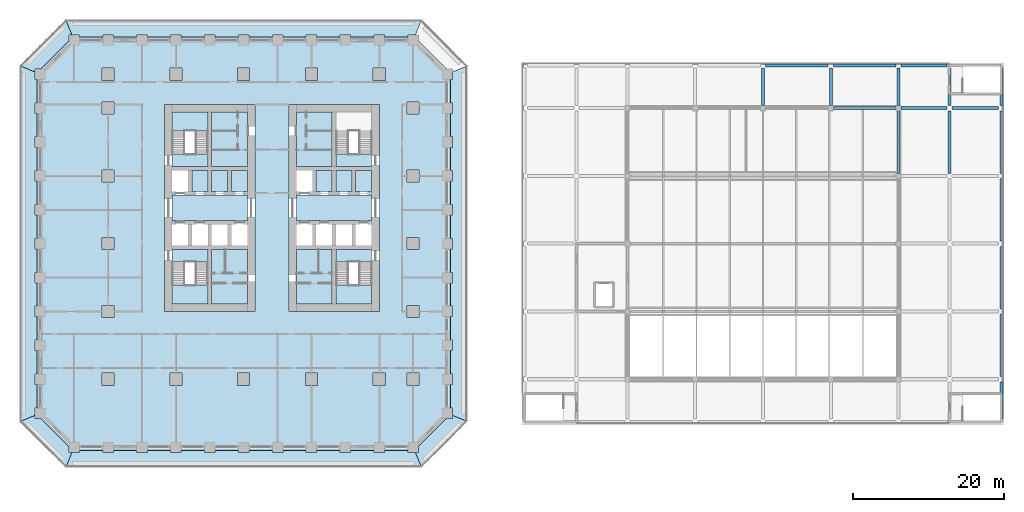
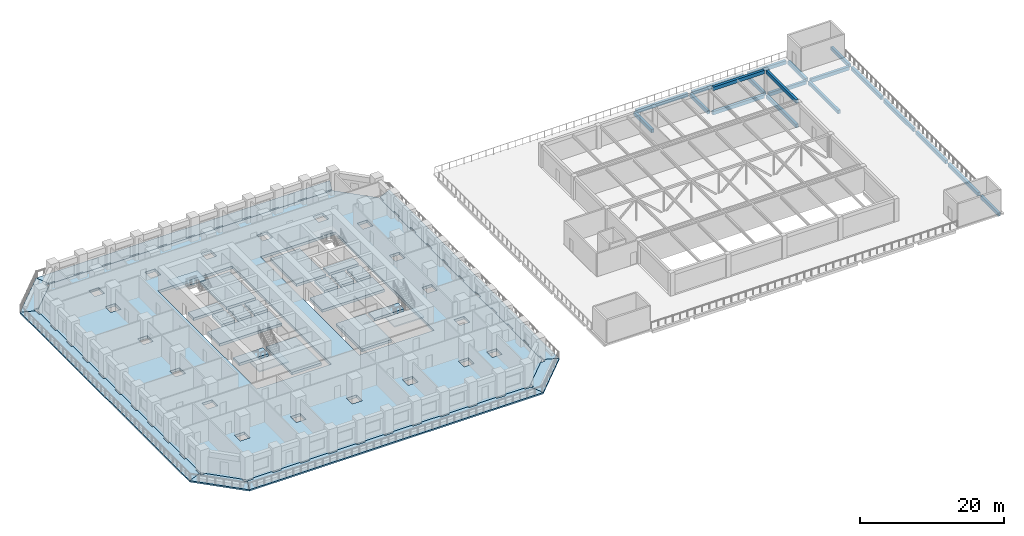
# One storey, part 16 of 30: 27 slabs, 20 beams, 3 elements without a shape of their own.
"""IFC4 building model written with IfcOpenShell, lengths in metres."""

from ifc_helpers import new_model, si_unit, direction, frame, origin, origin_2d, place, context, subcontext, project, spatial, polyline, rectangle, outline, extrude, material, layer, layer_set, material_profile, profile_set, type_object, element, aggregate, save


model = new_model("IFC4")

# Units and contexts
model_context = context("Model", 3, precision=1e-05, world=origin(), true_north=direction((0.0, 1.0)))
body_context = subcontext(model_context, "Body", "Model", "MODEL_VIEW")
ifc_project = project(units=[si_unit("LENGTHUNIT", "METRE"), si_unit("AREAUNIT", "SQUARE_METRE"), si_unit("VOLUMEUNIT", "CUBIC_METRE"), si_unit("PLANEANGLEUNIT", "RADIAN"), si_unit("MASSUNIT", "GRAM", prefix="KILO")], contexts=[model_context])

# Site, building, storey
site_placement = place(None, origin())
site = spatial("IfcSite", under=ifc_project, at=site_placement, CompositionType="ELEMENT")
building_placement = place(site_placement, origin())
building = spatial("IfcBuilding", under=site, at=building_placement, Name="Corbel Stack Research Tower", CompositionType="ELEMENT")
storey_placement = place(building_placement, frame((0.0, 0.0, 19.5)))
storey = spatial("IfcBuildingStorey", under=building, at=storey_placement, Name="L04", CompositionType="ELEMENT", Elevation=19.5)

# Beams
ifc_material_1 = material(Name="Concrete C40/50", Category="concrete")
ifc_material_profile = material_profile(ifc_material_1, rectangle(XDim=0.39990234375, YDim=0.60009765625, at=origin_2d()), Name="RC 400 x 600")
ifc_profile_set = profile_set([ifc_material_profile], Name="Concrete C40/50")
beam_type = type_object("IfcBeamType", Name="HB1 RC beam 400 x 600", PredefinedType="BEAM", material=ifc_profile_set)
beam_1_placement = place(storey_placement, frame((68.949951171875, 18.35009765625, -0.550048828125), z_axis=(0.0, 1.0, 0.0), x_axis=(-1.0, 0.0, 0.0)))
element("IfcBeam", 1, at=beam_1_placement, inside=storey, type_object=beam_type, Name="Floor beam L04 H5HF-H5HG", PredefinedType="BEAM", context=body_context, shape_type="SweptSolid", body=[
    extrude(rectangle(XDim=0.39990234375, YDim=0.60009765625, at=origin_2d()), origin(), (0.0, 0.0, 1.0), 4.949951171875),
])
for number, where, z_axis, x_axis, name in (
    (2, (69.300048828125, 23.64990234375, -0.550048828125), (1.0, 0.0, 0.0), (0.0, 1.0, 0.0), "Floor beam L04 H5HG-H6HG"),
    (3, (78.300048828125, 18.0, -0.550048828125), (1.0, 0.0, 0.0), (0.0, 1.0, 0.0), "Floor beam L04 H6HF-H7HF"),
):
    element("IfcBeam", number, at=place(storey_placement, frame(where, z_axis=z_axis, x_axis=x_axis)), inside=storey, type_object=beam_type, Name=name, PredefinedType="BEAM", context=body_context, shape_type="SweptSolid", body=[
        extrude(rectangle(XDim=0.39990234375, YDim=0.60009765625, at=origin_2d()), origin(), (0.0, 0.0, 1.0), 8.300048828125),
    ])
beam_2_placement = place(storey_placement, frame((77.949951171875, 18.35009765625, -0.550048828125), z_axis=(0.0, 1.0, 0.0), x_axis=(-1.0, 0.0, 0.0)))
element("IfcBeam", 4, at=beam_2_placement, inside=storey, type_object=beam_type, Name="Floor beam L04 H6HF-H6HG", PredefinedType="BEAM", context=body_context, shape_type="SweptSolid", body=[
    extrude(rectangle(XDim=0.39990234375, YDim=0.60009765625, at=origin_2d()), origin(), (0.0, 0.0, 1.0), 4.949951171875),
])
beam_3_placement = place(storey_placement, frame((78.300048828125, 23.64990234375, -0.550048828125), z_axis=(1.0, 0.0, 0.0), x_axis=(0.0, 1.0, 0.0)))
element("IfcBeam", 5, at=beam_3_placement, inside=storey, type_object=beam_type, Name="Floor beam L04 H6HG-H7HG", PredefinedType="BEAM", context=body_context, shape_type="SweptSolid", body=[
    extrude(rectangle(XDim=0.39990234375, YDim=0.60009765625, at=origin_2d()), origin(), (0.0, 0.0, 1.0), 8.300048828125),
])
beam_4_placement = place(storey_placement, frame((86.949951171875, 9.35009765625, -0.550048828125), z_axis=(0.0, 1.0, 0.0), x_axis=(-1.0, 0.0, 0.0)))
element("IfcBeam", 6, at=beam_4_placement, inside=storey, type_object=beam_type, Name="Floor beam L04 H7HE-H7HF", PredefinedType="BEAM", context=body_context, shape_type="SweptSolid", body=[
    extrude(rectangle(XDim=0.39990234375, YDim=0.60009765625, at=origin_2d()), origin(), (0.0, 0.0, 1.0), 8.2998046875),
])
beam_5_placement = place(storey_placement, frame((87.300048828125, 18.0, -0.550048828125), z_axis=(1.0, 0.0, 0.0), x_axis=(0.0, 1.0, 0.0)))
element("IfcBeam", 7, at=beam_5_placement, inside=storey, type_object=beam_type, Name="Floor beam L04 H7HF-H8HF", PredefinedType="BEAM", context=body_context, shape_type="SweptSolid", body=[
    extrude(rectangle(XDim=0.39990234375, YDim=0.60009765625, at=origin_2d()), origin(), (0.0, 0.0, 1.0), 6.050048828125),
])
beam_6_placement = place(storey_placement, frame((86.949951171875, 18.35009765625, -0.550048828125), z_axis=(0.0, 1.0, 0.0), x_axis=(-1.0, 0.0, 0.0)))
element("IfcBeam", 8, at=beam_6_placement, inside=storey, type_object=beam_type, Name="Floor beam L04 H7HF-H7HG", PredefinedType="BEAM", context=body_context, shape_type="SweptSolid", body=[
    extrude(rectangle(XDim=0.39990234375, YDim=0.60009765625, at=origin_2d()), origin(), (0.0, 0.0, 1.0), 4.949951171875),
])
beam_7_placement = place(storey_placement, frame((87.300048828125, 23.64990234375, -0.550048828125), z_axis=(1.0, 0.0, 0.0), x_axis=(0.0, 1.0, 0.0)))
element("IfcBeam", 9, at=beam_7_placement, inside=storey, type_object=beam_type, Name="Floor beam L04 H7HG-H8HG", PredefinedType="BEAM", context=body_context, shape_type="SweptSolid", body=[
    extrude(rectangle(XDim=0.39990234375, YDim=0.60009765625, at=origin_2d()), origin(), (0.0, 0.0, 1.0), 6.050048828125),
])
beam_8_placement = place(storey_placement, frame((93.699951171875, 9.35009765625, -0.550048828125), z_axis=(0.0, 1.0, 0.0), x_axis=(-1.0, 0.0, 0.0)))
element("IfcBeam", 10, at=beam_8_placement, inside=storey, type_object=beam_type, Name="Floor beam L04 H8HE-H8HF", PredefinedType="BEAM", context=body_context, shape_type="SweptSolid", body=[
    extrude(rectangle(XDim=0.39990234375, YDim=0.60009765625, at=origin_2d()), origin(), (0.0, 0.0, 1.0), 8.2998046875),
])
beam_9_placement = place(storey_placement, frame((94.050048828125, 18.0, -0.550048828125), z_axis=(1.0, 0.0, 0.0), x_axis=(0.0, 1.0, 0.0)))
element("IfcBeam", 11, at=beam_9_placement, inside=storey, type_object=beam_type, Name="Floor beam L04 H8HF-H9HF", PredefinedType="BEAM", context=body_context, shape_type="SweptSolid", body=[
    extrude(rectangle(XDim=0.39990234375, YDim=0.60009765625, at=origin_2d()), origin(), (0.0, 0.0, 1.0), 6.199951171875),
])
for number, where, z_axis, x_axis, name in (
    (12, (93.699951171875, 18.35009765625, -0.550048828125), (0.0, 1.0, 0.0), (-1.0, 0.0, 0.0), "Floor beam L04 H8HF-H8HG"),
    (13, (100.60009765625, -23.300048828125, -0.550048828125), (0.0, 1.0, 0.0), (-1.0, 0.0, 0.0), "Floor beam L04 H9HA-H9HB"),
):
    element("IfcBeam", number, at=place(storey_placement, frame(where, z_axis=z_axis, x_axis=x_axis)), inside=storey, type_object=beam_type, Name=name, PredefinedType="BEAM", context=body_context, shape_type="SweptSolid", body=[
        extrude(rectangle(XDim=0.39990234375, YDim=0.60009765625, at=origin_2d()), origin(), (0.0, 0.0, 1.0), 4.949951171875),
    ])
for number, where, z_axis, x_axis, name in (
    (14, (100.60009765625, -17.64990234375, -0.550048828125), (0.0, 1.0, 0.0), (-1.0, 0.0, 0.0), "Floor beam L04 H9HB-H9HC"),
    (15, (100.60009765625, -8.64990234375, -0.550048828125), (0.0, 1.0, 0.0), (-1.0, 0.0, 0.0), "Floor beam L04 H9HC-H9HD"),
    (16, (100.60009765625, 0.35009765625, -0.550048828125), (0.0, 1.0, 0.0), (-1.0, 0.0, 0.0), "Floor beam L04 H9HD-H9HE"),
    (17, (100.60009765625, 9.35009765625, -0.550048828125), (0.0, 1.0, 0.0), (-1.0, 0.0, 0.0), "Floor beam L04 H9HE-H9HF"),
):
    element("IfcBeam", number, at=place(storey_placement, frame(where, z_axis=z_axis, x_axis=x_axis)), inside=storey, type_object=beam_type, Name=name, PredefinedType="BEAM", context=body_context, shape_type="SweptSolid", body=[
        extrude(rectangle(XDim=0.39990234375, YDim=0.60009765625, at=origin_2d()), origin(), (0.0, 0.0, 1.0), 8.2998046875),
    ])
beam_10_placement = place(storey_placement, frame((100.60009765625, 18.35009765625, -0.550048828125), z_axis=(0.0, 1.0, 0.0), x_axis=(-1.0, 0.0, 0.0)))
element("IfcBeam", 18, at=beam_10_placement, inside=storey, type_object=beam_type, Name="Floor beam L04 H9HF-H9HG", PredefinedType="BEAM", context=body_context, shape_type="SweptSolid", body=[
    extrude(rectangle(XDim=0.39990234375, YDim=0.60009765625, at=origin_2d()), origin(), (0.0, 0.0, 1.0), 4.949951171875),
])
beam_11_placement = place(storey_placement, frame((78.300048828125, 18.0, 3.60009765625), z_axis=(1.0, 0.0, 0.0), x_axis=(0.0, 1.0, 0.0)))
element("IfcBeam", 19, at=beam_11_placement, inside=storey, type_object=beam_type, Name="Floor beam R H6HF-H7HF", PredefinedType="BEAM", context=body_context, shape_type="SweptSolid", body=[
    extrude(rectangle(XDim=0.39990234375, YDim=0.60009765625, at=origin_2d()), origin(), (0.0, 0.0, 1.0), 8.300048828125),
])
beam_12_placement = place(storey_placement, frame((86.949951171875, 9.35009765625, 3.60009765625), z_axis=(0.0, 1.0, 0.0), x_axis=(-1.0, 0.0, 0.0)))
element("IfcBeam", 20, at=beam_12_placement, inside=storey, type_object=beam_type, Name="Floor beam R H7HE-H7HF", PredefinedType="BEAM", context=body_context, shape_type="SweptSolid", body=[
    extrude(rectangle(XDim=0.39990234375, YDim=0.60009765625, at=origin_2d()), origin(), (0.0, 0.0, 1.0), 8.2998046875),
])

# Slabs
ifc_material_2 = material(Name="Concrete C45/55", Category="concrete")
ifc_layer_1 = layer(ifc_material_2, 0.25)
ifc_layer_set_1 = layer_set([ifc_layer_1], Name="Concrete C45/55")
slab_type_1 = type_object("IfcSlabType", Name="PT balcony slab 250 C45/55", PredefinedType="FLOOR", material=ifc_layer_set_1)
slab_1_placement = place(storey_placement, frame((0.0, 0.0, -0.25)))
element("IfcSlab", 21, at=slab_1_placement, inside=storey, type_object=slab_type_1, Name="Loggia slab L04 S", PredefinedType="FLOOR", context=body_context, shape_type="SweptSolid", body=[
    extrude(outline(polyline([(22.789794921875, -27.699951171875), (21.800048828125, -27.699951171875), (21.800048828125, -27.449951171875), (18.699951171875, -27.449951171875), (18.699951171875, -27.699951171875), (17.300048828125, -27.699951171875), (17.300048828125, -27.449951171875), (14.199951171875, -27.449951171875), (14.199951171875, -27.699951171875), (12.800048828125, -27.699951171875), (12.800048828125, -27.449951171875), (9.699951171875, -27.449951171875), (9.699951171875, -27.699951171875), (8.300048828125, -27.699951171875), (8.300048828125, -27.449951171875), (5.199951171875, -27.449951171875), (5.199951171875, -27.699951171875), (3.800048828125, -27.699951171875), (3.800048828125, -27.449951171875), (0.699951171875, -27.449951171875), (0.699951171875, -27.699951171875), (-0.699951171875, -27.699951171875), (-0.699951171875, -27.449951171875), (-3.800048828125, -27.449951171875), (-3.800048828125, -27.699951171875), (-5.199951171875, -27.699951171875), (-5.199951171875, -27.449951171875), (-8.300048828125, -27.449951171875), (-8.300048828125, -27.699951171875), (-9.699951171875, -27.699951171875), (-9.699951171875, -27.449951171875), (-12.800048828125, -27.449951171875), (-12.800048828125, -27.699951171875), (-14.199951171875, -27.699951171875), (-14.199951171875, -27.449951171875), (-17.300048828125, -27.449951171875), (-17.300048828125, -27.699951171875), (-18.699951171875, -27.699951171875), (-18.699951171875, -27.449951171875), (-21.800048828125, -27.449951171875), (-21.800048828125, -27.699951171875), (-22.789794921875, -27.699951171875), (-23.618408203125, -29.699951171875), (23.618408203125, -29.699951171875), (22.789794921875, -27.699951171875)])), origin(), (0.0, 0.0, 1.0), 0.25),
])
slab_2_placement = place(storey_placement, frame((0.0, 0.0, -0.25)))
element("IfcSlab", 22, at=slab_2_placement, inside=storey, type_object=slab_type_1, Name="Loggia slab L04 SE", PredefinedType="FLOOR", context=body_context, shape_type="SweptSolid", body=[
    extrude(outline(polyline([(27.699951171875, -22.789794921875), (27.699951171875, -23.199951171875), (26.936279296875, -23.199951171875), (23.199951171875, -26.936279296875), (23.199951171875, -27.699951171875), (22.789794921875, -27.699951171875), (23.618408203125, -29.699951171875), (29.699951171875, -23.618408203125), (27.699951171875, -22.789794921875)])), origin(), (0.0, 0.0, 1.0), 0.25),
])
slab_3_placement = place(storey_placement, frame((0.0, 0.0, -0.25)))
element("IfcSlab", 23, at=slab_3_placement, inside=storey, type_object=slab_type_1, Name="Loggia slab L04 E", PredefinedType="FLOOR", context=body_context, shape_type="SweptSolid", body=[
    extrude(outline(polyline([(27.699951171875, 22.789794921875), (27.699951171875, 21.800048828125), (27.449951171875, 21.800048828125), (27.449951171875, 18.699951171875), (27.699951171875, 18.699951171875), (27.699951171875, 17.300048828125), (27.449951171875, 17.300048828125), (27.449951171875, 14.199951171875), (27.699951171875, 14.199951171875), (27.699951171875, 12.800048828125), (27.449951171875, 12.800048828125), (27.449951171875, 9.699951171875), (27.699951171875, 9.699951171875), (27.699951171875, 8.300048828125), (27.449951171875, 8.300048828125), (27.449951171875, 5.199951171875), (27.699951171875, 5.199951171875), (27.699951171875, 3.800048828125), (27.449951171875, 3.800048828125), (27.449951171875, 0.699951171875), (27.699951171875, 0.699951171875), (27.699951171875, -0.699951171875), (27.449951171875, -0.699951171875), (27.449951171875, -3.800048828125), (27.699951171875, -3.800048828125), (27.699951171875, -5.199951171875), (27.449951171875, -5.199951171875), (27.449951171875, -8.300048828125), (27.699951171875, -8.300048828125), (27.699951171875, -9.699951171875), (27.449951171875, -9.699951171875), (27.449951171875, -12.800048828125), (27.699951171875, -12.800048828125), (27.699951171875, -14.199951171875), (27.449951171875, -14.199951171875), (27.449951171875, -17.300048828125), (27.699951171875, -17.300048828125), (27.699951171875, -18.699951171875), (27.449951171875, -18.699951171875), (27.449951171875, -21.800048828125), (27.699951171875, -21.800048828125), (27.699951171875, -22.789794921875), (29.699951171875, -23.618408203125), (29.699951171875, 23.618408203125), (27.699951171875, 22.789794921875)])), origin(), (0.0, 0.0, 1.0), 0.25),
])
slab_4_placement = place(storey_placement, frame((0.0, 0.0, -0.25)))
element("IfcSlab", 24, at=slab_4_placement, inside=storey, type_object=slab_type_1, Name="Loggia slab L04 N", PredefinedType="FLOOR", context=body_context, shape_type="SweptSolid", body=[
    extrude(outline(polyline([(-22.789794921875, 27.699951171875), (-21.800048828125, 27.699951171875), (-21.800048828125, 27.449951171875), (-18.699951171875, 27.449951171875), (-18.699951171875, 27.699951171875), (-17.300048828125, 27.699951171875), (-17.300048828125, 27.449951171875), (-14.199951171875, 27.449951171875), (-14.199951171875, 27.699951171875), (-12.800048828125, 27.699951171875), (-12.800048828125, 27.449951171875), (-9.699951171875, 27.449951171875), (-9.699951171875, 27.699951171875), (-8.300048828125, 27.699951171875), (-8.300048828125, 27.449951171875), (-5.199951171875, 27.449951171875), (-5.199951171875, 27.699951171875), (-3.800048828125, 27.699951171875), (-3.800048828125, 27.449951171875), (-0.699951171875, 27.449951171875), (-0.699951171875, 27.699951171875), (0.699951171875, 27.699951171875), (0.699951171875, 27.449951171875), (3.800048828125, 27.449951171875), (3.800048828125, 27.699951171875), (5.199951171875, 27.699951171875), (5.199951171875, 27.449951171875), (8.300048828125, 27.449951171875), (8.300048828125, 27.699951171875), (9.699951171875, 27.699951171875), (9.699951171875, 27.449951171875), (12.800048828125, 27.449951171875), (12.800048828125, 27.699951171875), (14.199951171875, 27.699951171875), (14.199951171875, 27.449951171875), (17.300048828125, 27.449951171875), (17.300048828125, 27.699951171875), (18.699951171875, 27.699951171875), (18.699951171875, 27.449951171875), (21.800048828125, 27.449951171875), (21.800048828125, 27.699951171875), (22.789794921875, 27.699951171875), (23.618408203125, 29.699951171875), (-23.618408203125, 29.699951171875), (-22.789794921875, 27.699951171875)])), origin(), (0.0, 0.0, 1.0), 0.25),
])
slab_5_placement = place(storey_placement, frame((0.0, 0.0, -0.25)))
element("IfcSlab", 25, at=slab_5_placement, inside=storey, type_object=slab_type_1, Name="Loggia slab L04 NW", PredefinedType="FLOOR", context=body_context, shape_type="SweptSolid", body=[
    extrude(outline(polyline([(-27.699951171875, 22.789794921875), (-27.699951171875, 23.199951171875), (-26.936279296875, 23.199951171875), (-23.199951171875, 26.936279296875), (-23.199951171875, 27.699951171875), (-22.789794921875, 27.699951171875), (-23.618408203125, 29.699951171875), (-29.699951171875, 23.618408203125), (-27.699951171875, 22.789794921875)])), origin(), (0.0, 0.0, 1.0), 0.25),
])
slab_6_placement = place(storey_placement, frame((0.0, 0.0, -0.25)))
element("IfcSlab", 26, at=slab_6_placement, inside=storey, type_object=slab_type_1, Name="Loggia slab L04 W", PredefinedType="FLOOR", context=body_context, shape_type="SweptSolid", body=[
    extrude(outline(polyline([(-27.699951171875, -22.789794921875), (-27.699951171875, -21.800048828125), (-27.449951171875, -21.800048828125), (-27.449951171875, -18.699951171875), (-27.699951171875, -18.699951171875), (-27.699951171875, -17.300048828125), (-27.449951171875, -17.300048828125), (-27.449951171875, -14.199951171875), (-27.699951171875, -14.199951171875), (-27.699951171875, -12.800048828125), (-27.449951171875, -12.800048828125), (-27.449951171875, -9.699951171875), (-27.699951171875, -9.699951171875), (-27.699951171875, -8.300048828125), (-27.449951171875, -8.300048828125), (-27.449951171875, -5.199951171875), (-27.699951171875, -5.199951171875), (-27.699951171875, -3.800048828125), (-27.449951171875, -3.800048828125), (-27.449951171875, -0.699951171875), (-27.699951171875, -0.699951171875), (-27.699951171875, 0.699951171875), (-27.449951171875, 0.699951171875), (-27.449951171875, 3.800048828125), (-27.699951171875, 3.800048828125), (-27.699951171875, 5.199951171875), (-27.449951171875, 5.199951171875), (-27.449951171875, 8.300048828125), (-27.699951171875, 8.300048828125), (-27.699951171875, 9.699951171875), (-27.449951171875, 9.699951171875), (-27.449951171875, 12.800048828125), (-27.699951171875, 12.800048828125), (-27.699951171875, 14.199951171875), (-27.449951171875, 14.199951171875), (-27.449951171875, 17.300048828125), (-27.699951171875, 17.300048828125), (-27.699951171875, 18.699951171875), (-27.449951171875, 18.699951171875), (-27.449951171875, 21.800048828125), (-27.699951171875, 21.800048828125), (-27.699951171875, 22.789794921875), (-29.699951171875, 23.618408203125), (-29.699951171875, -23.618408203125), (-27.699951171875, -22.789794921875)])), origin(), (0.0, 0.0, 1.0), 0.25),
])
slab_7_placement = place(storey_placement, frame((0.0, 0.0, -0.25)))
element("IfcSlab", 27, at=slab_7_placement, inside=storey, type_object=slab_type_1, Name="Loggia slab L04 SW", PredefinedType="FLOOR", context=body_context, shape_type="SweptSolid", body=[
    extrude(outline(polyline([(-22.789794921875, -27.699951171875), (-23.199951171875, -27.699951171875), (-23.199951171875, -26.936279296875), (-26.936279296875, -23.199951171875), (-27.699951171875, -23.199951171875), (-27.699951171875, -22.789794921875), (-29.699951171875, -23.618408203125), (-23.618408203125, -29.699951171875), (-22.789794921875, -27.699951171875)])), origin(), (0.0, 0.0, 1.0), 0.25),
])
ifc_material_3 = material(Name="Concrete C45/55", Category="concrete")
ifc_layer_2 = layer(ifc_material_3, 0.449951171875)
ifc_layer_set_2 = layer_set([ifc_layer_2], Name="Concrete C45/55")
slab_type_2 = type_object("IfcSlabType", Name="PT-450", PredefinedType="FLOOR", material=ifc_layer_set_2)
slab_8_placement = place(storey_placement, frame((0.0, 0.0, -0.449951171875)))
element("IfcSlab", 28, at=slab_8_placement, inside=storey, type_object=slab_type_2, Name="Floor slab L04", PredefinedType="FLOOR", context=body_context, shape_type="SweptSolid", body=[
    extrude(outline(polyline([(-22.686279296875, -27.449951171875), (22.686279296875, -27.449951171875), (27.449951171875, -22.686279296875), (27.449951171875, 22.686279296875), (22.686279296875, 27.449951171875), (-22.686279296875, 27.449951171875), (-27.449951171875, 22.686279296875), (-27.449951171875, -22.686279296875), (-22.686279296875, -27.449951171875)]), holes=[polyline([(23.300048828125, 17.199951171875), (21.699951171875, 17.199951171875), (21.699951171875, 18.800048828125), (23.300048828125, 18.800048828125), (23.300048828125, 17.199951171875)]), polyline([(21.699951171875, 8.199951171875), (21.699951171875, 9.800048828125), (23.300048828125, 9.800048828125), (23.300048828125, 8.199951171875), (21.699951171875, 8.199951171875)]), polyline([(23.300048828125, -0.800048828125), (21.699951171875, -0.800048828125), (21.699951171875, 0.800048828125), (23.300048828125, 0.800048828125), (23.300048828125, -0.800048828125)]), polyline([(21.699951171875, -9.800048828125), (21.699951171875, -8.199951171875), (23.300048828125, -8.199951171875), (23.300048828125, -9.800048828125), (21.699951171875, -9.800048828125)]), polyline([(21.699951171875, -18.800048828125), (21.699951171875, -17.199951171875), (23.300048828125, -17.199951171875), (23.300048828125, -18.800048828125), (21.699951171875, -18.800048828125)]), polyline([(17.199951171875, 21.699951171875), (17.199951171875, 23.300048828125), (18.800048828125, 23.300048828125), (18.800048828125, 21.699951171875), (17.199951171875, 21.699951171875)]), polyline([(18.800048828125, -18.800048828125), (17.199951171875, -18.800048828125), (17.199951171875, -17.199951171875), (18.800048828125, -17.199951171875), (18.800048828125, -18.800048828125)]), polyline([(6.0, -9.0), (6.0, 18.5), (18.0, 18.5), (18.0, -9.0), (6.0, -9.0)]), polyline([(8.199951171875, 21.699951171875), (8.199951171875, 23.300048828125), (9.800048828125, 23.300048828125), (9.800048828125, 21.699951171875), (8.199951171875, 21.699951171875)]), polyline([(9.800048828125, -18.800048828125), (8.199951171875, -18.800048828125), (8.199951171875, -17.199951171875), (9.800048828125, -17.199951171875), (9.800048828125, -18.800048828125)]), polyline([(1.5, -9.0), (-10.5, -9.0), (-10.5, 18.5), (1.5, 18.5), (1.5, -9.0)]), polyline([(0.800048828125, 21.699951171875), (-0.800048828125, 21.699951171875), (-0.800048828125, 23.300048828125), (0.800048828125, 23.300048828125), (0.800048828125, 21.699951171875)]), polyline([(0.800048828125, -18.800048828125), (-0.800048828125, -18.800048828125), (-0.800048828125, -17.199951171875), (0.800048828125, -17.199951171875), (0.800048828125, -18.800048828125)]), polyline([(-9.800048828125, 21.699951171875), (-9.800048828125, 23.300048828125), (-8.199951171875, 23.300048828125), (-8.199951171875, 21.699951171875), (-9.800048828125, 21.699951171875)]), polyline([(-8.199951171875, -18.800048828125), (-9.800048828125, -18.800048828125), (-9.800048828125, -17.199951171875), (-8.199951171875, -17.199951171875), (-8.199951171875, -18.800048828125)]), polyline([(-18.800048828125, 21.699951171875), (-18.800048828125, 23.300048828125), (-17.199951171875, 23.300048828125), (-17.199951171875, 21.699951171875), (-18.800048828125, 21.699951171875)]), polyline([(-17.199951171875, 17.199951171875), (-18.800048828125, 17.199951171875), (-18.800048828125, 18.800048828125), (-17.199951171875, 18.800048828125), (-17.199951171875, 17.199951171875)]), polyline([(-17.199951171875, 8.199951171875), (-18.800048828125, 8.199951171875), (-18.800048828125, 9.800048828125), (-17.199951171875, 9.800048828125), (-17.199951171875, 8.199951171875)]), polyline([(-18.800048828125, -0.800048828125), (-18.800048828125, 0.800048828125), (-17.199951171875, 0.800048828125), (-17.199951171875, -0.800048828125), (-18.800048828125, -0.800048828125)]), polyline([(-18.800048828125, -9.800048828125), (-18.800048828125, -8.199951171875), (-17.199951171875, -8.199951171875), (-17.199951171875, -9.800048828125), (-18.800048828125, -9.800048828125)]), polyline([(-17.199951171875, -18.800048828125), (-18.800048828125, -18.800048828125), (-18.800048828125, -17.199951171875), (-17.199951171875, -17.199951171875), (-17.199951171875, -18.800048828125)])]), origin(), (0.0, 0.0, 1.0), 0.449951171875),
])
slab_9_placement = place(storey_placement, frame((0.0, 0.0, -0.449951171875)))
element("IfcSlab", 29, at=slab_9_placement, inside=storey, type_object=slab_type_2, Name="West core floor L04", PredefinedType="FLOOR", context=body_context, shape_type="SweptSolid", body=[
    extrude(outline(polyline([(-9.5, 6.449951171875), (-9.5, 3.050048828125), (0.5, 3.050048828125), (0.5, 6.449951171875), (-9.5, 6.449951171875)])), origin(), (0.0, 0.0, 1.0), 0.449951171875),
])
slab_10_placement = place(storey_placement, frame((0.0, 0.0, -0.449951171875)))
element("IfcSlab", 30, at=slab_10_placement, inside=storey, type_object=slab_type_2, Name="West core floor L04", PredefinedType="FLOOR", context=body_context, shape_type="SweptSolid", body=[
    extrude(outline(polyline([(-6.875, 6.949951171875), (-4.75, 6.949951171875), (-4.75, 9.75), (-6.875, 9.75), (-6.875, 6.949951171875)])), origin(), (0.0, 0.0, 1.0), 0.449951171875),
])
slab_11_placement = place(storey_placement, frame((0.0, 0.0, -0.449951171875)))
element("IfcSlab", 31, at=slab_11_placement, inside=storey, type_object=slab_type_2, Name="West core floor L04", PredefinedType="FLOOR", context=body_context, shape_type="SweptSolid", body=[
    extrude(outline(polyline([(-4.25, -0.75), (-4.25, -8.0), (0.5, -8.0), (0.5, -0.75), (-4.25, -0.75)])), origin(), (0.0, 0.0, 1.0), 0.449951171875),
])
slab_12_placement = place(storey_placement, frame((0.0, 0.0, -0.449951171875)))
element("IfcSlab", 32, at=slab_12_placement, inside=storey, type_object=slab_type_2, Name="West core floor L04", PredefinedType="FLOOR", context=body_context, shape_type="SweptSolid", body=[
    extrude(outline(polyline([(-2.125, 6.949951171875), (-2.125, 9.75), (-4.25, 9.75), (-4.25, 6.949951171875), (-2.125, 6.949951171875)])), origin(), (0.0, 0.0, 1.0), 0.449951171875),
])
slab_13_placement = place(storey_placement, frame((0.0, 0.0, -0.449951171875)))
element("IfcSlab", 33, at=slab_13_placement, inside=storey, type_object=slab_type_2, Name="West core floor L04", PredefinedType="FLOOR", context=body_context, shape_type="SweptSolid", body=[
    extrude(outline(polyline([(-4.25, 17.5), (-4.25, 10.25), (0.5, 10.25), (0.5, 17.5), (-4.25, 17.5)])), origin(), (0.0, 0.0, 1.0), 0.449951171875),
])
slab_14_placement = place(storey_placement, frame((0.0, 0.0, -0.449951171875)))
element("IfcSlab", 34, at=slab_14_placement, inside=storey, type_object=slab_type_2, Name="West core floor L04", PredefinedType="FLOOR", context=body_context, shape_type="SweptSolid", body=[
    extrude(outline(polyline([(0.5, 6.949951171875), (0.5, 9.75), (-1.625, 9.75), (-1.625, 6.949951171875), (0.5, 6.949951171875)])), origin(), (0.0, 0.0, 1.0), 0.449951171875),
])
slab_15_placement = place(storey_placement, frame((0.0, 0.0, -0.449951171875)))
element("IfcSlab", 35, at=slab_15_placement, inside=storey, type_object=slab_type_2, Name="East core floor L04", PredefinedType="FLOOR", context=body_context, shape_type="SweptSolid", body=[
    extrude(outline(polyline([(7.0, -0.75), (7.0, -8.0), (11.75, -8.0), (11.75, -0.75), (7.0, -0.75)])), origin(), (0.0, 0.0, 1.0), 0.449951171875),
])
slab_16_placement = place(storey_placement, frame((0.0, 0.0, -0.449951171875)))
element("IfcSlab", 36, at=slab_16_placement, inside=storey, type_object=slab_type_2, Name="East core floor L04", PredefinedType="FLOOR", context=body_context, shape_type="SweptSolid", body=[
    extrude(outline(polyline([(7.0, 6.449951171875), (7.0, 3.050048828125), (17.0, 3.050048828125), (17.0, 6.449951171875), (7.0, 6.449951171875)])), origin(), (0.0, 0.0, 1.0), 0.449951171875),
])
slab_17_placement = place(storey_placement, frame((0.0, 0.0, -0.449951171875)))
element("IfcSlab", 37, at=slab_17_placement, inside=storey, type_object=slab_type_2, Name="East core floor L04", PredefinedType="FLOOR", context=body_context, shape_type="SweptSolid", body=[
    extrude(outline(polyline([(7.0, 17.5), (7.0, 10.25), (11.75, 10.25), (11.75, 17.5), (7.0, 17.5)])), origin(), (0.0, 0.0, 1.0), 0.449951171875),
])
slab_18_placement = place(storey_placement, frame((0.0, 0.0, -0.449951171875)))
element("IfcSlab", 38, at=slab_18_placement, inside=storey, type_object=slab_type_2, Name="East core floor L04", PredefinedType="FLOOR", context=body_context, shape_type="SweptSolid", body=[
    extrude(outline(polyline([(9.625, 6.949951171875), (11.75, 6.949951171875), (11.75, 9.75), (9.625, 9.75), (9.625, 6.949951171875)])), origin(), (0.0, 0.0, 1.0), 0.449951171875),
])
slab_19_placement = place(storey_placement, frame((0.0, 0.0, -0.449951171875)))
element("IfcSlab", 39, at=slab_19_placement, inside=storey, type_object=slab_type_2, Name="East core floor L04", PredefinedType="FLOOR", context=body_context, shape_type="SweptSolid", body=[
    extrude(outline(polyline([(14.375, 6.949951171875), (14.375, 9.75), (12.25, 9.75), (12.25, 6.949951171875), (14.375, 6.949951171875)])), origin(), (0.0, 0.0, 1.0), 0.449951171875),
])
slab_20_placement = place(storey_placement, frame((0.0, 0.0, -0.449951171875)))
element("IfcSlab", 40, at=slab_20_placement, inside=storey, type_object=slab_type_2, Name="East core floor L04", PredefinedType="FLOOR", context=body_context, shape_type="SweptSolid", body=[
    extrude(outline(polyline([(17.0, 6.949951171875), (17.0, 9.75), (14.875, 9.75), (14.875, 6.949951171875), (17.0, 6.949951171875)])), origin(), (0.0, 0.0, 1.0), 0.449951171875),
])
slab_21_placement = place(storey_placement, frame((0.0, 0.0, -0.449951171875)))
element("IfcSlab", 41, at=slab_21_placement, inside=storey, type_object=slab_type_2, Name="Stair floor landing ST-W1", PredefinedType="FLOOR", context=body_context, shape_type="SweptSolid", body=[
    extrude(outline(polyline([(-9.5, -2.39990234375), (-4.75, -2.39990234375), (-4.75, -0.75), (-9.5, -0.75), (-9.5, -2.39990234375)])), origin(), (0.0, 0.0, 1.0), 0.449951171875),
])
slab_22_placement = place(storey_placement, frame((0.0, 0.0, -0.449951171875)))
element("IfcSlab", 42, at=slab_22_placement, inside=storey, type_object=slab_type_2, Name="Stair floor landing ST-W2", PredefinedType="FLOOR", context=body_context, shape_type="SweptSolid", body=[
    extrude(outline(polyline([(-9.5, 10.25), (-4.75, 10.25), (-4.75, 11.89990234375), (-9.5, 11.89990234375), (-9.5, 10.25)])), origin(), (0.0, 0.0, 1.0), 0.449951171875),
])
slab_23_placement = place(storey_placement, frame((0.0, 0.0, -0.449951171875)))
element("IfcSlab", 43, at=slab_23_placement, inside=storey, type_object=slab_type_2, Name="Stair floor landing ST-E1", PredefinedType="FLOOR", context=body_context, shape_type="SweptSolid", body=[
    extrude(outline(polyline([(12.25, -2.39990234375), (17.0, -2.39990234375), (17.0, -0.75), (12.25, -0.75), (12.25, -2.39990234375)])), origin(), (0.0, 0.0, 1.0), 0.449951171875),
])
slab_24_placement = place(storey_placement, frame((0.0, 0.0, -0.449951171875)))
element("IfcSlab", 44, at=slab_24_placement, inside=storey, type_object=slab_type_2, Name="Stair floor landing ST-E2", PredefinedType="FLOOR", context=body_context, shape_type="SweptSolid", body=[
    extrude(outline(polyline([(12.25, 10.25), (17.0, 10.25), (17.0, 11.89990234375), (12.25, 11.89990234375), (12.25, 10.25)])), origin(), (0.0, 0.0, 1.0), 0.449951171875),
])

# Stair, slab
ifc_material_4 = material(Name="Concrete C40/50", Category="concrete")
stair_type = type_object("IfcStairType", Name="Exit stair 24 risers", PredefinedType="HALF_TURN_STAIR", material=ifc_material_4)
stair_1_placement = place(storey_placement, origin())
stair_1 = element("IfcStair", 45, at=stair_1_placement, inside=storey, type_object=stair_type, Name="L04 Exit stair ST-W1", PredefinedType="HALF_TURN_STAIR")
ifc_material_5 = material(Name="Concrete C40/50", Category="concrete")
ifc_layer_3 = layer(ifc_material_5, 0.199951171875)
ifc_layer_set_3 = layer_set([ifc_layer_3], Name="Concrete C40/50")
slab_type_3 = type_object("IfcSlabType", Name="Stair landing 200 C40/50", PredefinedType="LANDING", material=ifc_layer_set_3)
slab_25_placement = place(storey_placement, frame((0.0, 0.0, 1.85009765625)))
slab_25 = element("IfcSlab", 46, at=slab_25_placement, type_object=slab_type_3, Name="ST-W1 landing 1", PredefinedType="LANDING", context=body_context, shape_type="SweptSolid", body=[
    extrude(outline(polyline([(-9.5, -8.0), (-9.5, -5.47998046875), (-4.75, -5.47998046875), (-4.75, -8.0), (-9.5, -8.0)])), origin(), (0.0, 0.0, 1.0), 0.199951171875),
])
aggregate(stair_1, [slab_25])

stair_2_placement = place(storey_placement, origin())
stair_2 = element("IfcStair", 47, at=stair_2_placement, inside=storey, type_object=stair_type, Name="L04 Exit stair ST-W2", PredefinedType="HALF_TURN_STAIR")
slab_26_placement = place(storey_placement, frame((0.0, 0.0, 1.85009765625)))
slab_26 = element("IfcSlab", 48, at=slab_26_placement, type_object=slab_type_3, Name="ST-W2 landing 1", PredefinedType="LANDING", context=body_context, shape_type="SweptSolid", body=[
    extrude(outline(polyline([(-9.5, 14.97998046875), (-9.5, 17.5), (-4.75, 17.5), (-4.75, 14.97998046875), (-9.5, 14.97998046875)])), origin(), (0.0, 0.0, 1.0), 0.199951171875),
])
aggregate(stair_2, [slab_26])

stair_3_placement = place(storey_placement, origin())
stair_3 = element("IfcStair", 49, at=stair_3_placement, inside=storey, type_object=stair_type, Name="L04 Exit stair ST-E1", PredefinedType="HALF_TURN_STAIR")
slab_27_placement = place(storey_placement, frame((0.0, 0.0, 1.85009765625)))
slab_27 = element("IfcSlab", 50, at=slab_27_placement, type_object=slab_type_3, Name="ST-E1 landing 1", PredefinedType="LANDING", context=body_context, shape_type="SweptSolid", body=[
    extrude(outline(polyline([(12.25, -8.0), (12.25, -5.47998046875), (17.0, -5.47998046875), (17.0, -8.0), (12.25, -8.0)])), origin(), (0.0, 0.0, 1.0), 0.199951171875),
])
aggregate(stair_3, [slab_27])

save(model, "model.ifc")
